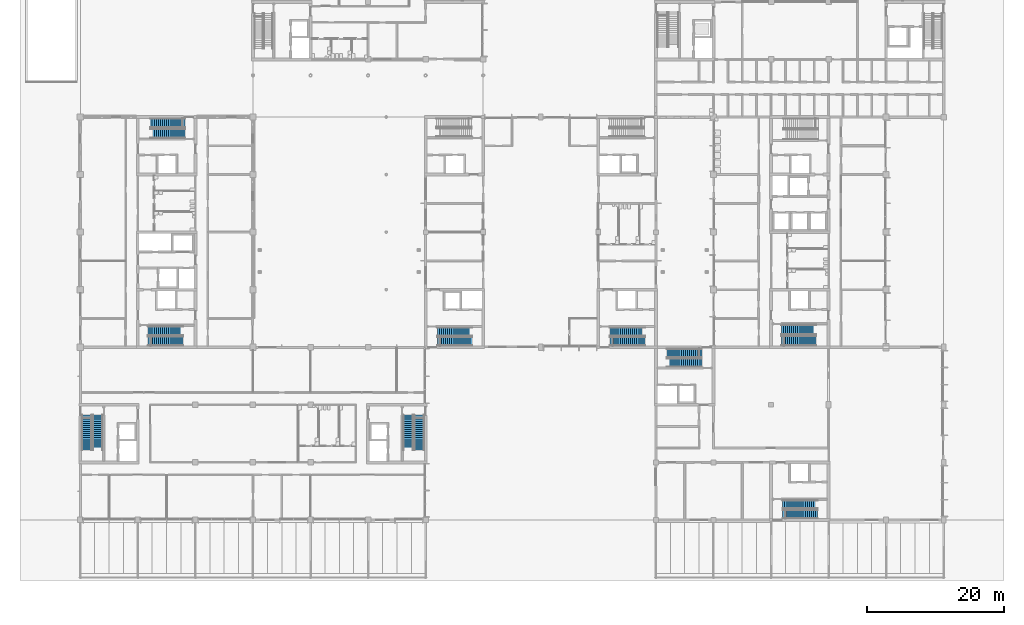
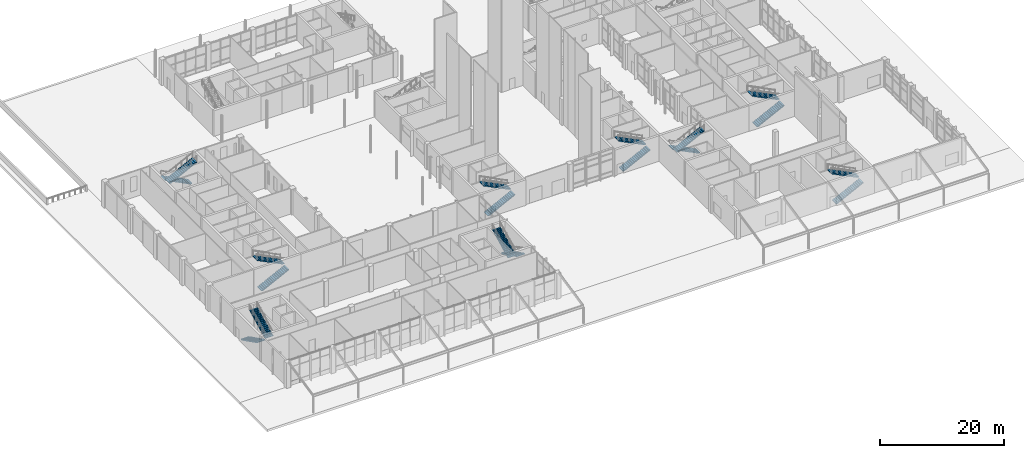
# One storey, part 52 of 76: 18 stair flights, 9 elements without a shape of their own.
"""IFC4 building model written with IfcOpenShell, lengths in metres."""

from ifc_helpers import new_model, si_unit, direction, frame, origin, place, context, subcontext, project, spatial, polyline, outline, extrude, material, type_object, element, aggregate, save


model = new_model("IFC4")

# Units and contexts
model_context = context("Model", 3, precision=1e-05, world=origin(), true_north=direction((0.0, 1.0)))
body_context = subcontext(model_context, "Body", "Model", "MODEL_VIEW")
ifc_project = project(units=[si_unit("LENGTHUNIT", "METRE"), si_unit("AREAUNIT", "SQUARE_METRE"), si_unit("VOLUMEUNIT", "CUBIC_METRE"), si_unit("PLANEANGLEUNIT", "RADIAN"), si_unit("MASSUNIT", "GRAM", prefix="KILO")], contexts=[model_context])

# Site, building, storey
site_placement = place(None, origin())
site = spatial("IfcSite", under=ifc_project, at=site_placement, CompositionType="ELEMENT")
building_placement = place(site_placement, origin())
building = spatial("IfcBuilding", under=site, at=building_placement, Name="Hlaing Beacon Police Headquarters", CompositionType="ELEMENT")
storey_placement = place(building_placement, origin())
storey = spatial("IfcBuildingStorey", under=building, at=storey_placement, Name="L00", CompositionType="ELEMENT", Elevation=0.0)

# Stair, stair flights
ifc_material_1 = material(Name="Concrete C40/50", Category="concrete")
stair_type_1 = type_object("IfcStairType", Name="Half-turn stair 1300 wide, 5400 rise", PredefinedType="HALF_TURN_STAIR", material=ifc_material_1)
stair_1_placement = place(storey_placement, origin())
stair_1 = element("IfcStair", 1, at=stair_1_placement, inside=storey, type_object=stair_type_1, Name="Stair ST-A", PredefinedType="HALF_TURN_STAIR")
ifc_material_2 = material(Name="Concrete C40/50", Category="concrete")
stair_flight_type_1 = type_object("IfcStairFlightType", Name="Stair flight 1300 wide, 18 risers", PredefinedType="STRAIGHT", material=ifc_material_2)
stair_flight_1_placement = place(storey_placement, frame((60.5, 34.449951171875, 0.0), z_axis=(0.0, 0.0, 1.0), x_axis=(1.0, 0.0, 0.0)))
stair_flight_1 = element("IfcStairFlight", 2, at=stair_flight_1_placement, type_object=stair_flight_type_1, Name="ST-A flight 1", NumberOfRisers=18, NumberOfTreads=17, PredefinedType="STRAIGHT", RiserHeight=0.15, TreadLength=0.3, context=body_context, shape_type="SweptSolid", body=[
    extrude(outline(polyline([(0.0, 0.0), (0.0, 0.14990234375), (0.300048828125, 0.14990234375), (0.300048828125, 0.300048828125), (0.60009765625, 0.300048828125), (0.60009765625, 0.449951171875), (0.89990234375, 0.449951171875), (0.89990234375, 0.60009765625), (1.199951171875, 0.60009765625), (1.199951171875, 0.75), (1.5, 0.75), (1.5, 0.89990234375), (1.800048828125, 0.89990234375), (1.800048828125, 1.050048828125), (2.10009765625, 1.050048828125), (2.10009765625, 1.199951171875), (2.39990234375, 1.199951171875), (2.39990234375, 1.35009765625), (2.699951171875, 1.35009765625), (2.699951171875, 1.5), (3.0, 1.5), (3.0, 1.64990234375), (3.300048828125, 1.64990234375), (3.300048828125, 1.800048828125), (3.60009765625, 1.800048828125), (3.60009765625, 1.949951171875), (3.89990234375, 1.949951171875), (3.89990234375, 2.10009765625), (4.199951171875, 2.10009765625), (4.199951171875, 2.25), (4.5, 2.25), (4.5, 2.39990234375), (4.800048828125, 2.39990234375), (4.800048828125, 2.550048828125), (5.10009765625, 2.550048828125), (5.10009765625, 2.699951171875), (5.10009765625, 2.38232421875), (0.335205078125, 0.0), (0.0, 0.0)])), frame((0.0, 0.64990234375, 0.0), z_axis=(0.0, -1.0, 0.0), x_axis=(1.0, 0.0, 0.0)), (0.0, 0.0, 1.0), 1.300048828125),
])
stair_flight_2_placement = place(storey_placement, frame((65.60009765625, 35.85009765625, 2.699951171875), z_axis=(0.0, 0.0, 1.0), x_axis=(-1.0, 0.0, 0.0)))
stair_flight_2 = element("IfcStairFlight", 3, at=stair_flight_2_placement, type_object=stair_flight_type_1, Name="ST-A flight 2", NumberOfRisers=18, NumberOfTreads=17, PredefinedType="STRAIGHT", RiserHeight=0.15, TreadLength=0.3, context=body_context, shape_type="SweptSolid", body=[
    extrude(outline(polyline([(0.0, 0.0), (0.0, 0.14990234375), (0.300048828125, 0.14990234375), (0.300048828125, 0.300048828125), (0.60009765625, 0.300048828125), (0.60009765625, 0.449951171875), (0.89990234375, 0.449951171875), (0.89990234375, 0.60009765625), (1.199951171875, 0.60009765625), (1.199951171875, 0.75), (1.5, 0.75), (1.5, 0.89990234375), (1.800048828125, 0.89990234375), (1.800048828125, 1.050048828125), (2.10009765625, 1.050048828125), (2.10009765625, 1.199951171875), (2.39990234375, 1.199951171875), (2.39990234375, 1.35009765625), (2.699951171875, 1.35009765625), (2.699951171875, 1.5), (3.0, 1.5), (3.0, 1.64990234375), (3.300048828125, 1.64990234375), (3.300048828125, 1.800048828125), (3.60009765625, 1.800048828125), (3.60009765625, 1.949951171875), (3.89990234375, 1.949951171875), (3.89990234375, 2.10009765625), (4.199951171875, 2.10009765625), (4.199951171875, 2.25), (4.5, 2.25), (4.5, 2.39990234375), (4.800048828125, 2.39990234375), (4.800048828125, 2.550048828125), (5.10009765625, 2.550048828125), (5.10009765625, 2.699951171875), (5.10009765625, 2.38232421875), (0.335205078125, 0.0), (0.0, 0.0)])), frame((0.0, 0.64990234375, 0.0), z_axis=(0.0, -1.0, 0.0), x_axis=(1.0, 0.0, 0.0)), (0.0, 0.0, 1.0), 1.300048828125),
])
aggregate(stair_1, [stair_flight_1, stair_flight_2])

stair_2_placement = place(storey_placement, origin())
stair_2 = element("IfcStair", 4, at=stair_2_placement, inside=storey, type_object=stair_type_1, Name="Stair ST-C", PredefinedType="HALF_TURN_STAIR")
stair_flight_3_placement = place(storey_placement, frame((85.699951171875, 34.449951171875, 0.0), z_axis=(0.0, 0.0, 1.0), x_axis=(1.0, 0.0, 0.0)))
stair_flight_3 = element("IfcStairFlight", 5, at=stair_flight_3_placement, type_object=stair_flight_type_1, Name="ST-C flight 1", NumberOfRisers=18, NumberOfTreads=17, PredefinedType="STRAIGHT", RiserHeight=0.15, TreadLength=0.3, context=body_context, shape_type="SweptSolid", body=[
    extrude(outline(polyline([(0.0, 0.0), (0.0, 0.14990234375), (0.300048828125, 0.14990234375), (0.300048828125, 0.300048828125), (0.60009765625, 0.300048828125), (0.60009765625, 0.449951171875), (0.89990234375, 0.449951171875), (0.89990234375, 0.60009765625), (1.199951171875, 0.60009765625), (1.199951171875, 0.75), (1.5, 0.75), (1.5, 0.89990234375), (1.800048828125, 0.89990234375), (1.800048828125, 1.050048828125), (2.10009765625, 1.050048828125), (2.10009765625, 1.199951171875), (2.39990234375, 1.199951171875), (2.39990234375, 1.35009765625), (2.699951171875, 1.35009765625), (2.699951171875, 1.5), (3.0, 1.5), (3.0, 1.64990234375), (3.300048828125, 1.64990234375), (3.300048828125, 1.800048828125), (3.60009765625, 1.800048828125), (3.60009765625, 1.949951171875), (3.89990234375, 1.949951171875), (3.89990234375, 2.10009765625), (4.199951171875, 2.10009765625), (4.199951171875, 2.25), (4.5, 2.25), (4.5, 2.39990234375), (4.800048828125, 2.39990234375), (4.800048828125, 2.550048828125), (5.10009765625, 2.550048828125), (5.10009765625, 2.699951171875), (5.10009765625, 2.38232421875), (0.335205078125, 0.0), (0.0, 0.0)])), frame((0.0, 0.64990234375, 0.0), z_axis=(0.0, -1.0, 0.0), x_axis=(1.0, 0.0, 0.0)), (0.0, 0.0, 1.0), 1.300048828125),
])
stair_flight_4_placement = place(storey_placement, frame((90.800048828125, 35.85009765625, 2.699951171875), z_axis=(0.0, 0.0, 1.0), x_axis=(-1.0, 0.0, 0.0)))
stair_flight_4 = element("IfcStairFlight", 6, at=stair_flight_4_placement, type_object=stair_flight_type_1, Name="ST-C flight 2", NumberOfRisers=18, NumberOfTreads=17, PredefinedType="STRAIGHT", RiserHeight=0.15, TreadLength=0.3, context=body_context, shape_type="SweptSolid", body=[
    extrude(outline(polyline([(0.0, 0.0), (0.0, 0.14990234375), (0.300048828125, 0.14990234375), (0.300048828125, 0.300048828125), (0.60009765625, 0.300048828125), (0.60009765625, 0.449951171875), (0.89990234375, 0.449951171875), (0.89990234375, 0.60009765625), (1.199951171875, 0.60009765625), (1.199951171875, 0.75), (1.5, 0.75), (1.5, 0.89990234375), (1.800048828125, 0.89990234375), (1.800048828125, 1.050048828125), (2.10009765625, 1.050048828125), (2.10009765625, 1.199951171875), (2.39990234375, 1.199951171875), (2.39990234375, 1.35009765625), (2.699951171875, 1.35009765625), (2.699951171875, 1.5), (3.0, 1.5), (3.0, 1.64990234375), (3.300048828125, 1.64990234375), (3.300048828125, 1.800048828125), (3.60009765625, 1.800048828125), (3.60009765625, 1.949951171875), (3.89990234375, 1.949951171875), (3.89990234375, 2.10009765625), (4.199951171875, 2.10009765625), (4.199951171875, 2.25), (4.5, 2.25), (4.5, 2.39990234375), (4.800048828125, 2.39990234375), (4.800048828125, 2.550048828125), (5.10009765625, 2.550048828125), (5.10009765625, 2.699951171875), (5.10009765625, 2.38232421875), (0.335205078125, 0.0), (0.0, 0.0)])), frame((0.0, 0.64990234375, 0.0), z_axis=(0.0, -1.0, 0.0), x_axis=(1.0, 0.0, 0.0)), (0.0, 0.0, 1.0), 1.300048828125),
])
aggregate(stair_2, [stair_flight_3, stair_flight_4])

stair_3_placement = place(storey_placement, origin())
stair_3 = element("IfcStair", 7, at=stair_3_placement, inside=storey, type_object=stair_type_1, Name="Stair ST-G", PredefinedType="HALF_TURN_STAIR")
stair_flight_5_placement = place(storey_placement, frame((99.10009765625, 32.75, 0.0), z_axis=(0.0, 0.0, 1.0), x_axis=(-1.0, 0.0, 0.0)))
stair_flight_5 = element("IfcStairFlight", 8, at=stair_flight_5_placement, type_object=stair_flight_type_1, Name="ST-G flight 1", NumberOfRisers=18, NumberOfTreads=17, PredefinedType="STRAIGHT", RiserHeight=0.15, TreadLength=0.3, context=body_context, shape_type="SweptSolid", body=[
    extrude(outline(polyline([(0.0, 0.0), (0.0, 0.14990234375), (0.300048828125, 0.14990234375), (0.300048828125, 0.300048828125), (0.60009765625, 0.300048828125), (0.60009765625, 0.449951171875), (0.89990234375, 0.449951171875), (0.89990234375, 0.60009765625), (1.199951171875, 0.60009765625), (1.199951171875, 0.75), (1.5, 0.75), (1.5, 0.89990234375), (1.800048828125, 0.89990234375), (1.800048828125, 1.050048828125), (2.10009765625, 1.050048828125), (2.10009765625, 1.199951171875), (2.39990234375, 1.199951171875), (2.39990234375, 1.35009765625), (2.699951171875, 1.35009765625), (2.699951171875, 1.5), (3.0, 1.5), (3.0, 1.64990234375), (3.300048828125, 1.64990234375), (3.300048828125, 1.800048828125), (3.60009765625, 1.800048828125), (3.60009765625, 1.949951171875), (3.89990234375, 1.949951171875), (3.89990234375, 2.10009765625), (4.199951171875, 2.10009765625), (4.199951171875, 2.25), (4.5, 2.25), (4.5, 2.39990234375), (4.800048828125, 2.39990234375), (4.800048828125, 2.550048828125), (5.10009765625, 2.550048828125), (5.10009765625, 2.699951171875), (5.10009765625, 2.38232421875), (0.335205078125, 0.0), (0.0, 0.0)])), frame((0.0, 0.64990234375, 0.0), z_axis=(0.0, -1.0, 0.0), x_axis=(1.0, 0.0, 0.0)), (0.0, 0.0, 1.0), 1.300048828125),
])
stair_flight_6_placement = place(storey_placement, frame((94.0, 31.35009765625, 2.699951171875), z_axis=(0.0, 0.0, 1.0), x_axis=(1.0, 0.0, 0.0)))
stair_flight_6 = element("IfcStairFlight", 9, at=stair_flight_6_placement, type_object=stair_flight_type_1, Name="ST-G flight 2", NumberOfRisers=18, NumberOfTreads=17, PredefinedType="STRAIGHT", RiserHeight=0.15, TreadLength=0.3, context=body_context, shape_type="SweptSolid", body=[
    extrude(outline(polyline([(0.0, 0.0), (0.0, 0.14990234375), (0.300048828125, 0.14990234375), (0.300048828125, 0.300048828125), (0.60009765625, 0.300048828125), (0.60009765625, 0.449951171875), (0.89990234375, 0.449951171875), (0.89990234375, 0.60009765625), (1.199951171875, 0.60009765625), (1.199951171875, 0.75), (1.5, 0.75), (1.5, 0.89990234375), (1.800048828125, 0.89990234375), (1.800048828125, 1.050048828125), (2.10009765625, 1.050048828125), (2.10009765625, 1.199951171875), (2.39990234375, 1.199951171875), (2.39990234375, 1.35009765625), (2.699951171875, 1.35009765625), (2.699951171875, 1.5), (3.0, 1.5), (3.0, 1.64990234375), (3.300048828125, 1.64990234375), (3.300048828125, 1.800048828125), (3.60009765625, 1.800048828125), (3.60009765625, 1.949951171875), (3.89990234375, 1.949951171875), (3.89990234375, 2.10009765625), (4.199951171875, 2.10009765625), (4.199951171875, 2.25), (4.5, 2.25), (4.5, 2.39990234375), (4.800048828125, 2.39990234375), (4.800048828125, 2.550048828125), (5.10009765625, 2.550048828125), (5.10009765625, 2.699951171875), (5.10009765625, 2.38232421875), (0.335205078125, 0.0), (0.0, 0.0)])), frame((0.0, 0.64990234375, 0.0), z_axis=(0.0, -1.0, 0.0), x_axis=(1.0, 0.0, 0.0)), (0.0, 0.0, 1.0), 1.300048828125),
])
aggregate(stair_3, [stair_flight_5, stair_flight_6])

stair_4_placement = place(storey_placement, origin())
stair_4 = element("IfcStair", 10, at=stair_4_placement, inside=storey, type_object=stair_type_1, Name="Stair ST-H", PredefinedType="HALF_TURN_STAIR")
stair_flight_7_placement = place(storey_placement, frame((110.89990234375, 9.25, 0.0), z_axis=(0.0, 0.0, 1.0), x_axis=(1.0, 0.0, 0.0)))
stair_flight_7 = element("IfcStairFlight", 11, at=stair_flight_7_placement, type_object=stair_flight_type_1, Name="ST-H flight 1", NumberOfRisers=18, NumberOfTreads=17, PredefinedType="STRAIGHT", RiserHeight=0.15, TreadLength=0.3, context=body_context, shape_type="SweptSolid", body=[
    extrude(outline(polyline([(0.0, 0.0), (0.0, 0.14990234375), (0.300048828125, 0.14990234375), (0.300048828125, 0.300048828125), (0.60009765625, 0.300048828125), (0.60009765625, 0.449951171875), (0.89990234375, 0.449951171875), (0.89990234375, 0.60009765625), (1.199951171875, 0.60009765625), (1.199951171875, 0.75), (1.5, 0.75), (1.5, 0.89990234375), (1.800048828125, 0.89990234375), (1.800048828125, 1.050048828125), (2.10009765625, 1.050048828125), (2.10009765625, 1.199951171875), (2.39990234375, 1.199951171875), (2.39990234375, 1.35009765625), (2.699951171875, 1.35009765625), (2.699951171875, 1.5), (3.0, 1.5), (3.0, 1.64990234375), (3.300048828125, 1.64990234375), (3.300048828125, 1.800048828125), (3.60009765625, 1.800048828125), (3.60009765625, 1.949951171875), (3.89990234375, 1.949951171875), (3.89990234375, 2.10009765625), (4.199951171875, 2.10009765625), (4.199951171875, 2.25), (4.5, 2.25), (4.5, 2.39990234375), (4.800048828125, 2.39990234375), (4.800048828125, 2.550048828125), (5.10009765625, 2.550048828125), (5.10009765625, 2.699951171875), (5.10009765625, 2.38232421875), (0.335205078125, 0.0), (0.0, 0.0)])), frame((0.0, 0.64990234375, 0.0), z_axis=(0.0, -1.0, 0.0), x_axis=(1.0, 0.0, 0.0)), (0.0, 0.0, 1.0), 1.300048828125),
])
stair_flight_8_placement = place(storey_placement, frame((116.0, 10.64990234375, 2.699951171875), z_axis=(0.0, 0.0, 1.0), x_axis=(-1.0, 0.0, 0.0)))
stair_flight_8 = element("IfcStairFlight", 12, at=stair_flight_8_placement, type_object=stair_flight_type_1, Name="ST-H flight 2", NumberOfRisers=18, NumberOfTreads=17, PredefinedType="STRAIGHT", RiserHeight=0.15, TreadLength=0.3, context=body_context, shape_type="SweptSolid", body=[
    extrude(outline(polyline([(0.0, 0.0), (0.0, 0.14990234375), (0.300048828125, 0.14990234375), (0.300048828125, 0.300048828125), (0.60009765625, 0.300048828125), (0.60009765625, 0.449951171875), (0.89990234375, 0.449951171875), (0.89990234375, 0.60009765625), (1.199951171875, 0.60009765625), (1.199951171875, 0.75), (1.5, 0.75), (1.5, 0.89990234375), (1.800048828125, 0.89990234375), (1.800048828125, 1.050048828125), (2.10009765625, 1.050048828125), (2.10009765625, 1.199951171875), (2.39990234375, 1.199951171875), (2.39990234375, 1.35009765625), (2.699951171875, 1.35009765625), (2.699951171875, 1.5), (3.0, 1.5), (3.0, 1.64990234375), (3.300048828125, 1.64990234375), (3.300048828125, 1.800048828125), (3.60009765625, 1.800048828125), (3.60009765625, 1.949951171875), (3.89990234375, 1.949951171875), (3.89990234375, 2.10009765625), (4.199951171875, 2.10009765625), (4.199951171875, 2.25), (4.5, 2.25), (4.5, 2.39990234375), (4.800048828125, 2.39990234375), (4.800048828125, 2.550048828125), (5.10009765625, 2.550048828125), (5.10009765625, 2.699951171875), (5.10009765625, 2.38232421875), (0.335205078125, 0.0), (0.0, 0.0)])), frame((0.0, 0.64990234375, 0.0), z_axis=(0.0, -1.0, 0.0), x_axis=(1.0, 0.0, 0.0)), (0.0, 0.0, 1.0), 1.300048828125),
])
aggregate(stair_4, [stair_flight_7, stair_flight_8])

ifc_material_3 = material(Name="Concrete C40/50", Category="concrete")
stair_type_2 = type_object("IfcStairType", Name="Half-turn stair 1400 wide, 5400 rise", PredefinedType="HALF_TURN_STAIR", material=ifc_material_3)
stair_5_placement = place(storey_placement, origin())
stair_5 = element("IfcStair", 13, at=stair_5_placement, inside=storey, type_object=stair_type_2, Name="Stair ST-P", PredefinedType="HALF_TURN_STAIR")
ifc_material_4 = material(Name="Concrete C40/50", Category="concrete")
stair_flight_type_2 = type_object("IfcStairFlightType", Name="Stair flight 1400 wide, 18 risers", PredefinedType="STRAIGHT", material=ifc_material_4)
stair_flight_9_placement = place(storey_placement, frame((23.699951171875, 66.300048828125, 0.0), z_axis=(0.0, 0.0, 1.0), x_axis=(-1.0, 0.0, 0.0)))
stair_flight_9 = element("IfcStairFlight", 14, at=stair_flight_9_placement, type_object=stair_flight_type_2, Name="ST-P flight 1", NumberOfRisers=18, NumberOfTreads=17, PredefinedType="STRAIGHT", RiserHeight=0.15, TreadLength=0.3, context=body_context, shape_type="SweptSolid", body=[
    extrude(outline(polyline([(0.0, 0.0), (0.0, 0.14990234375), (0.300048828125, 0.14990234375), (0.300048828125, 0.300048828125), (0.60009765625, 0.300048828125), (0.60009765625, 0.449951171875), (0.89990234375, 0.449951171875), (0.89990234375, 0.60009765625), (1.199951171875, 0.60009765625), (1.199951171875, 0.75), (1.5, 0.75), (1.5, 0.89990234375), (1.800048828125, 0.89990234375), (1.800048828125, 1.050048828125), (2.10009765625, 1.050048828125), (2.10009765625, 1.199951171875), (2.39990234375, 1.199951171875), (2.39990234375, 1.35009765625), (2.699951171875, 1.35009765625), (2.699951171875, 1.5), (3.0, 1.5), (3.0, 1.64990234375), (3.300048828125, 1.64990234375), (3.300048828125, 1.800048828125), (3.60009765625, 1.800048828125), (3.60009765625, 1.949951171875), (3.89990234375, 1.949951171875), (3.89990234375, 2.10009765625), (4.199951171875, 2.10009765625), (4.199951171875, 2.25), (4.5, 2.25), (4.5, 2.39990234375), (4.800048828125, 2.39990234375), (4.800048828125, 2.550048828125), (5.10009765625, 2.550048828125), (5.10009765625, 2.699951171875), (5.10009765625, 2.38232421875), (0.335205078125, 0.0), (0.0, 0.0)])), frame((0.0, 0.699951171875, 0.0), z_axis=(0.0, -1.0, 0.0), x_axis=(1.0, 0.0, 0.0)), (0.0, 0.0, 1.0), 1.39990234375),
])
stair_flight_10_placement = place(storey_placement, frame((18.60009765625, 64.800048828125, 2.699951171875), z_axis=(0.0, 0.0, 1.0), x_axis=(1.0, 0.0, 0.0)))
stair_flight_10 = element("IfcStairFlight", 15, at=stair_flight_10_placement, type_object=stair_flight_type_2, Name="ST-P flight 2", NumberOfRisers=18, NumberOfTreads=17, PredefinedType="STRAIGHT", RiserHeight=0.15, TreadLength=0.3, context=body_context, shape_type="SweptSolid", body=[
    extrude(outline(polyline([(0.0, 0.0), (0.0, 0.14990234375), (0.300048828125, 0.14990234375), (0.300048828125, 0.300048828125), (0.60009765625, 0.300048828125), (0.60009765625, 0.449951171875), (0.89990234375, 0.449951171875), (0.89990234375, 0.60009765625), (1.199951171875, 0.60009765625), (1.199951171875, 0.75), (1.5, 0.75), (1.5, 0.89990234375), (1.800048828125, 0.89990234375), (1.800048828125, 1.050048828125), (2.10009765625, 1.050048828125), (2.10009765625, 1.199951171875), (2.39990234375, 1.199951171875), (2.39990234375, 1.35009765625), (2.699951171875, 1.35009765625), (2.699951171875, 1.5), (3.0, 1.5), (3.0, 1.64990234375), (3.300048828125, 1.64990234375), (3.300048828125, 1.800048828125), (3.60009765625, 1.800048828125), (3.60009765625, 1.949951171875), (3.89990234375, 1.949951171875), (3.89990234375, 2.10009765625), (4.199951171875, 2.10009765625), (4.199951171875, 2.25), (4.5, 2.25), (4.5, 2.39990234375), (4.800048828125, 2.39990234375), (4.800048828125, 2.550048828125), (5.10009765625, 2.550048828125), (5.10009765625, 2.699951171875), (5.10009765625, 2.38232421875), (0.335205078125, 0.0), (0.0, 0.0)])), frame((0.0, 0.699951171875, 0.0), z_axis=(0.0, -1.0, 0.0), x_axis=(1.0, 0.0, 0.0)), (0.0, 0.0, 1.0), 1.39990234375),
])
aggregate(stair_5, [stair_flight_9, stair_flight_10])

stair_6_placement = place(storey_placement, origin())
stair_6 = element("IfcStair", 16, at=stair_6_placement, inside=storey, type_object=stair_type_2, Name="Stair ST-N", PredefinedType="HALF_TURN_STAIR")
stair_flight_11_placement = place(storey_placement, frame((18.300048828125, 34.5, 0.0), z_axis=(0.0, 0.0, 1.0), x_axis=(1.0, 0.0, 0.0)))
stair_flight_11 = element("IfcStairFlight", 17, at=stair_flight_11_placement, type_object=stair_flight_type_2, Name="ST-N flight 1", NumberOfRisers=18, NumberOfTreads=17, PredefinedType="STRAIGHT", RiserHeight=0.15, TreadLength=0.3, context=body_context, shape_type="SweptSolid", body=[
    extrude(outline(polyline([(0.0, 0.0), (0.0, 0.14990234375), (0.300048828125, 0.14990234375), (0.300048828125, 0.300048828125), (0.60009765625, 0.300048828125), (0.60009765625, 0.449951171875), (0.89990234375, 0.449951171875), (0.89990234375, 0.60009765625), (1.199951171875, 0.60009765625), (1.199951171875, 0.75), (1.5, 0.75), (1.5, 0.89990234375), (1.800048828125, 0.89990234375), (1.800048828125, 1.050048828125), (2.10009765625, 1.050048828125), (2.10009765625, 1.199951171875), (2.39990234375, 1.199951171875), (2.39990234375, 1.35009765625), (2.699951171875, 1.35009765625), (2.699951171875, 1.5), (3.0, 1.5), (3.0, 1.64990234375), (3.300048828125, 1.64990234375), (3.300048828125, 1.800048828125), (3.60009765625, 1.800048828125), (3.60009765625, 1.949951171875), (3.89990234375, 1.949951171875), (3.89990234375, 2.10009765625), (4.199951171875, 2.10009765625), (4.199951171875, 2.25), (4.5, 2.25), (4.5, 2.39990234375), (4.800048828125, 2.39990234375), (4.800048828125, 2.550048828125), (5.10009765625, 2.550048828125), (5.10009765625, 2.699951171875), (5.10009765625, 2.38232421875), (0.335205078125, 0.0), (0.0, 0.0)])), frame((0.0, 0.699951171875, 0.0), z_axis=(0.0, -1.0, 0.0), x_axis=(1.0, 0.0, 0.0)), (0.0, 0.0, 1.0), 1.39990234375),
])
stair_flight_12_placement = place(storey_placement, frame((23.39990234375, 36.0, 2.699951171875), z_axis=(0.0, 0.0, 1.0), x_axis=(-1.0, 0.0, 0.0)))
stair_flight_12 = element("IfcStairFlight", 18, at=stair_flight_12_placement, type_object=stair_flight_type_2, Name="ST-N flight 2", NumberOfRisers=18, NumberOfTreads=17, PredefinedType="STRAIGHT", RiserHeight=0.15, TreadLength=0.3, context=body_context, shape_type="SweptSolid", body=[
    extrude(outline(polyline([(0.0, 0.0), (0.0, 0.14990234375), (0.300048828125, 0.14990234375), (0.300048828125, 0.300048828125), (0.60009765625, 0.300048828125), (0.60009765625, 0.449951171875), (0.89990234375, 0.449951171875), (0.89990234375, 0.60009765625), (1.199951171875, 0.60009765625), (1.199951171875, 0.75), (1.5, 0.75), (1.5, 0.89990234375), (1.800048828125, 0.89990234375), (1.800048828125, 1.050048828125), (2.10009765625, 1.050048828125), (2.10009765625, 1.199951171875), (2.39990234375, 1.199951171875), (2.39990234375, 1.35009765625), (2.699951171875, 1.35009765625), (2.699951171875, 1.5), (3.0, 1.5), (3.0, 1.64990234375), (3.300048828125, 1.64990234375), (3.300048828125, 1.800048828125), (3.60009765625, 1.800048828125), (3.60009765625, 1.949951171875), (3.89990234375, 1.949951171875), (3.89990234375, 2.10009765625), (4.199951171875, 2.10009765625), (4.199951171875, 2.25), (4.5, 2.25), (4.5, 2.39990234375), (4.800048828125, 2.39990234375), (4.800048828125, 2.550048828125), (5.10009765625, 2.550048828125), (5.10009765625, 2.699951171875), (5.10009765625, 2.38232421875), (0.335205078125, 0.0), (0.0, 0.0)])), frame((0.0, 0.699951171875, 0.0), z_axis=(0.0, -1.0, 0.0), x_axis=(1.0, 0.0, 0.0)), (0.0, 0.0, 1.0), 1.39990234375),
])
aggregate(stair_6, [stair_flight_11, stair_flight_12])

ifc_material_5 = material(Name="Concrete C40/50", Category="concrete")
stair_type_3 = type_object("IfcStairType", Name="Half-turn stair 1500 wide, 5400 rise", PredefinedType="HALF_TURN_STAIR", material=ifc_material_5)
stair_7_placement = place(storey_placement, origin())
stair_7 = element("IfcStair", 19, at=stair_7_placement, inside=storey, type_object=stair_type_3, Name="Stair ST-J", PredefinedType="HALF_TURN_STAIR")
ifc_material_6 = material(Name="Concrete C40/50", Category="concrete")
stair_flight_type_3 = type_object("IfcStairFlightType", Name="Stair flight 1500 wide, 18 risers", PredefinedType="STRAIGHT", material=ifc_material_6)
stair_flight_13_placement = place(storey_placement, frame((9.35009765625, 23.699951171875, 0.0), z_axis=(0.0, 0.0, 1.0), x_axis=(0.0, -1.0, 0.0)))
stair_flight_13 = element("IfcStairFlight", 20, at=stair_flight_13_placement, type_object=stair_flight_type_3, Name="ST-J flight 1", NumberOfRisers=18, NumberOfTreads=17, PredefinedType="STRAIGHT", RiserHeight=0.15, TreadLength=0.3, context=body_context, shape_type="SweptSolid", body=[
    extrude(outline(polyline([(0.0, 0.0), (0.0, 0.14990234375), (0.300048828125, 0.14990234375), (0.300048828125, 0.300048828125), (0.60009765625, 0.300048828125), (0.60009765625, 0.449951171875), (0.89990234375, 0.449951171875), (0.89990234375, 0.60009765625), (1.199951171875, 0.60009765625), (1.199951171875, 0.75), (1.5, 0.75), (1.5, 0.89990234375), (1.800048828125, 0.89990234375), (1.800048828125, 1.050048828125), (2.10009765625, 1.050048828125), (2.10009765625, 1.199951171875), (2.39990234375, 1.199951171875), (2.39990234375, 1.35009765625), (2.699951171875, 1.35009765625), (2.699951171875, 1.5), (3.0, 1.5), (3.0, 1.64990234375), (3.300048828125, 1.64990234375), (3.300048828125, 1.800048828125), (3.60009765625, 1.800048828125), (3.60009765625, 1.949951171875), (3.89990234375, 1.949951171875), (3.89990234375, 2.10009765625), (4.199951171875, 2.10009765625), (4.199951171875, 2.25), (4.5, 2.25), (4.5, 2.39990234375), (4.800048828125, 2.39990234375), (4.800048828125, 2.550048828125), (5.10009765625, 2.550048828125), (5.10009765625, 2.699951171875), (5.10009765625, 2.38232421875), (0.335205078125, 0.0), (0.0, 0.0)])), frame((0.0, 0.75, 0.0), z_axis=(0.0, -1.0, 0.0), x_axis=(1.0, 0.0, 0.0)), (0.0, 0.0, 1.0), 1.5),
])
stair_flight_14_placement = place(storey_placement, frame((10.949951171875, 18.60009765625, 2.699951171875), z_axis=(0.0, 0.0, 1.0), x_axis=(0.0, 1.0, 0.0)))
stair_flight_14 = element("IfcStairFlight", 21, at=stair_flight_14_placement, type_object=stair_flight_type_3, Name="ST-J flight 2", NumberOfRisers=18, NumberOfTreads=17, PredefinedType="STRAIGHT", RiserHeight=0.15, TreadLength=0.3, context=body_context, shape_type="SweptSolid", body=[
    extrude(outline(polyline([(0.0, 0.0), (0.0, 0.14990234375), (0.300048828125, 0.14990234375), (0.300048828125, 0.300048828125), (0.60009765625, 0.300048828125), (0.60009765625, 0.449951171875), (0.89990234375, 0.449951171875), (0.89990234375, 0.60009765625), (1.199951171875, 0.60009765625), (1.199951171875, 0.75), (1.5, 0.75), (1.5, 0.89990234375), (1.800048828125, 0.89990234375), (1.800048828125, 1.050048828125), (2.10009765625, 1.050048828125), (2.10009765625, 1.199951171875), (2.39990234375, 1.199951171875), (2.39990234375, 1.35009765625), (2.699951171875, 1.35009765625), (2.699951171875, 1.5), (3.0, 1.5), (3.0, 1.64990234375), (3.300048828125, 1.64990234375), (3.300048828125, 1.800048828125), (3.60009765625, 1.800048828125), (3.60009765625, 1.949951171875), (3.89990234375, 1.949951171875), (3.89990234375, 2.10009765625), (4.199951171875, 2.10009765625), (4.199951171875, 2.25), (4.5, 2.25), (4.5, 2.39990234375), (4.800048828125, 2.39990234375), (4.800048828125, 2.550048828125), (5.10009765625, 2.550048828125), (5.10009765625, 2.699951171875), (5.10009765625, 2.38232421875), (0.335205078125, 0.0), (0.0, 0.0)])), frame((0.0, 0.75, 0.0), z_axis=(0.0, -1.0, 0.0), x_axis=(1.0, 0.0, 0.0)), (0.0, 0.0, 1.0), 1.5),
])
aggregate(stair_7, [stair_flight_13, stair_flight_14])

stair_8_placement = place(storey_placement, origin())
stair_8 = element("IfcStair", 22, at=stair_8_placement, inside=storey, type_object=stair_type_3, Name="Stair ST-K", PredefinedType="HALF_TURN_STAIR")
stair_flight_15_placement = place(storey_placement, frame((57.85009765625, 23.699951171875, 0.0), z_axis=(0.0, 0.0, 1.0), x_axis=(0.0, -1.0, 0.0)))
stair_flight_15 = element("IfcStairFlight", 23, at=stair_flight_15_placement, type_object=stair_flight_type_3, Name="ST-K flight 1", NumberOfRisers=18, NumberOfTreads=17, PredefinedType="STRAIGHT", RiserHeight=0.15, TreadLength=0.3, context=body_context, shape_type="SweptSolid", body=[
    extrude(outline(polyline([(0.0, 0.0), (0.0, 0.14990234375), (0.300048828125, 0.14990234375), (0.300048828125, 0.300048828125), (0.60009765625, 0.300048828125), (0.60009765625, 0.449951171875), (0.89990234375, 0.449951171875), (0.89990234375, 0.60009765625), (1.199951171875, 0.60009765625), (1.199951171875, 0.75), (1.5, 0.75), (1.5, 0.89990234375), (1.800048828125, 0.89990234375), (1.800048828125, 1.050048828125), (2.10009765625, 1.050048828125), (2.10009765625, 1.199951171875), (2.39990234375, 1.199951171875), (2.39990234375, 1.35009765625), (2.699951171875, 1.35009765625), (2.699951171875, 1.5), (3.0, 1.5), (3.0, 1.64990234375), (3.300048828125, 1.64990234375), (3.300048828125, 1.800048828125), (3.60009765625, 1.800048828125), (3.60009765625, 1.949951171875), (3.89990234375, 1.949951171875), (3.89990234375, 2.10009765625), (4.199951171875, 2.10009765625), (4.199951171875, 2.25), (4.5, 2.25), (4.5, 2.39990234375), (4.800048828125, 2.39990234375), (4.800048828125, 2.550048828125), (5.10009765625, 2.550048828125), (5.10009765625, 2.699951171875), (5.10009765625, 2.38232421875), (0.335205078125, 0.0), (0.0, 0.0)])), frame((0.0, 0.75, 0.0), z_axis=(0.0, -1.0, 0.0), x_axis=(1.0, 0.0, 0.0)), (0.0, 0.0, 1.0), 1.5),
])
stair_flight_16_placement = place(storey_placement, frame((56.25, 18.60009765625, 2.699951171875), z_axis=(0.0, 0.0, 1.0), x_axis=(0.0, 1.0, 0.0)))
stair_flight_16 = element("IfcStairFlight", 24, at=stair_flight_16_placement, type_object=stair_flight_type_3, Name="ST-K flight 2", NumberOfRisers=18, NumberOfTreads=17, PredefinedType="STRAIGHT", RiserHeight=0.15, TreadLength=0.3, context=body_context, shape_type="SweptSolid", body=[
    extrude(outline(polyline([(0.0, 0.0), (0.0, 0.14990234375), (0.300048828125, 0.14990234375), (0.300048828125, 0.300048828125), (0.60009765625, 0.300048828125), (0.60009765625, 0.449951171875), (0.89990234375, 0.449951171875), (0.89990234375, 0.60009765625), (1.199951171875, 0.60009765625), (1.199951171875, 0.75), (1.5, 0.75), (1.5, 0.89990234375), (1.800048828125, 0.89990234375), (1.800048828125, 1.050048828125), (2.10009765625, 1.050048828125), (2.10009765625, 1.199951171875), (2.39990234375, 1.199951171875), (2.39990234375, 1.35009765625), (2.699951171875, 1.35009765625), (2.699951171875, 1.5), (3.0, 1.5), (3.0, 1.64990234375), (3.300048828125, 1.64990234375), (3.300048828125, 1.800048828125), (3.60009765625, 1.800048828125), (3.60009765625, 1.949951171875), (3.89990234375, 1.949951171875), (3.89990234375, 2.10009765625), (4.199951171875, 2.10009765625), (4.199951171875, 2.25), (4.5, 2.25), (4.5, 2.39990234375), (4.800048828125, 2.39990234375), (4.800048828125, 2.550048828125), (5.10009765625, 2.550048828125), (5.10009765625, 2.699951171875), (5.10009765625, 2.38232421875), (0.335205078125, 0.0), (0.0, 0.0)])), frame((0.0, 0.75, 0.0), z_axis=(0.0, -1.0, 0.0), x_axis=(1.0, 0.0, 0.0)), (0.0, 0.0, 1.0), 1.5),
])
aggregate(stair_8, [stair_flight_15, stair_flight_16])

stair_9_placement = place(storey_placement, origin())
stair_9 = element("IfcStair", 25, at=stair_9_placement, inside=storey, type_object=stair_type_3, Name="Stair ST-L", PredefinedType="HALF_TURN_STAIR")
stair_flight_17_placement = place(storey_placement, frame((110.699951171875, 34.550048828125, 0.0), z_axis=(0.0, 0.0, 1.0), x_axis=(1.0, 0.0, 0.0)))
stair_flight_17 = element("IfcStairFlight", 26, at=stair_flight_17_placement, type_object=stair_flight_type_3, Name="ST-L flight 1", NumberOfRisers=18, NumberOfTreads=17, PredefinedType="STRAIGHT", RiserHeight=0.15, TreadLength=0.3, context=body_context, shape_type="SweptSolid", body=[
    extrude(outline(polyline([(0.0, 0.0), (0.0, 0.14990234375), (0.300048828125, 0.14990234375), (0.300048828125, 0.300048828125), (0.60009765625, 0.300048828125), (0.60009765625, 0.449951171875), (0.89990234375, 0.449951171875), (0.89990234375, 0.60009765625), (1.199951171875, 0.60009765625), (1.199951171875, 0.75), (1.5, 0.75), (1.5, 0.89990234375), (1.800048828125, 0.89990234375), (1.800048828125, 1.050048828125), (2.10009765625, 1.050048828125), (2.10009765625, 1.199951171875), (2.39990234375, 1.199951171875), (2.39990234375, 1.35009765625), (2.699951171875, 1.35009765625), (2.699951171875, 1.5), (3.0, 1.5), (3.0, 1.64990234375), (3.300048828125, 1.64990234375), (3.300048828125, 1.800048828125), (3.60009765625, 1.800048828125), (3.60009765625, 1.949951171875), (3.89990234375, 1.949951171875), (3.89990234375, 2.10009765625), (4.199951171875, 2.10009765625), (4.199951171875, 2.25), (4.5, 2.25), (4.5, 2.39990234375), (4.800048828125, 2.39990234375), (4.800048828125, 2.550048828125), (5.10009765625, 2.550048828125), (5.10009765625, 2.699951171875), (5.10009765625, 2.38232421875), (0.335205078125, 0.0), (0.0, 0.0)])), frame((0.0, 0.75, 0.0), z_axis=(0.0, -1.0, 0.0), x_axis=(1.0, 0.0, 0.0)), (0.0, 0.0, 1.0), 1.5),
])
stair_flight_18_placement = place(storey_placement, frame((115.800048828125, 36.14990234375, 2.699951171875), z_axis=(0.0, 0.0, 1.0), x_axis=(-1.0, 0.0, 0.0)))
stair_flight_18 = element("IfcStairFlight", 27, at=stair_flight_18_placement, type_object=stair_flight_type_3, Name="ST-L flight 2", NumberOfRisers=18, NumberOfTreads=17, PredefinedType="STRAIGHT", RiserHeight=0.15, TreadLength=0.3, context=body_context, shape_type="SweptSolid", body=[
    extrude(outline(polyline([(0.0, 0.0), (0.0, 0.14990234375), (0.300048828125, 0.14990234375), (0.300048828125, 0.300048828125), (0.60009765625, 0.300048828125), (0.60009765625, 0.449951171875), (0.89990234375, 0.449951171875), (0.89990234375, 0.60009765625), (1.199951171875, 0.60009765625), (1.199951171875, 0.75), (1.5, 0.75), (1.5, 0.89990234375), (1.800048828125, 0.89990234375), (1.800048828125, 1.050048828125), (2.10009765625, 1.050048828125), (2.10009765625, 1.199951171875), (2.39990234375, 1.199951171875), (2.39990234375, 1.35009765625), (2.699951171875, 1.35009765625), (2.699951171875, 1.5), (3.0, 1.5), (3.0, 1.64990234375), (3.300048828125, 1.64990234375), (3.300048828125, 1.800048828125), (3.60009765625, 1.800048828125), (3.60009765625, 1.949951171875), (3.89990234375, 1.949951171875), (3.89990234375, 2.10009765625), (4.199951171875, 2.10009765625), (4.199951171875, 2.25), (4.5, 2.25), (4.5, 2.39990234375), (4.800048828125, 2.39990234375), (4.800048828125, 2.550048828125), (5.10009765625, 2.550048828125), (5.10009765625, 2.699951171875), (5.10009765625, 2.38232421875), (0.335205078125, 0.0), (0.0, 0.0)])), frame((0.0, 0.75, 0.0), z_axis=(0.0, -1.0, 0.0), x_axis=(1.0, 0.0, 0.0)), (0.0, 0.0, 1.0), 1.5),
])
aggregate(stair_9, [stair_flight_17, stair_flight_18])

save(model, "model.ifc")
